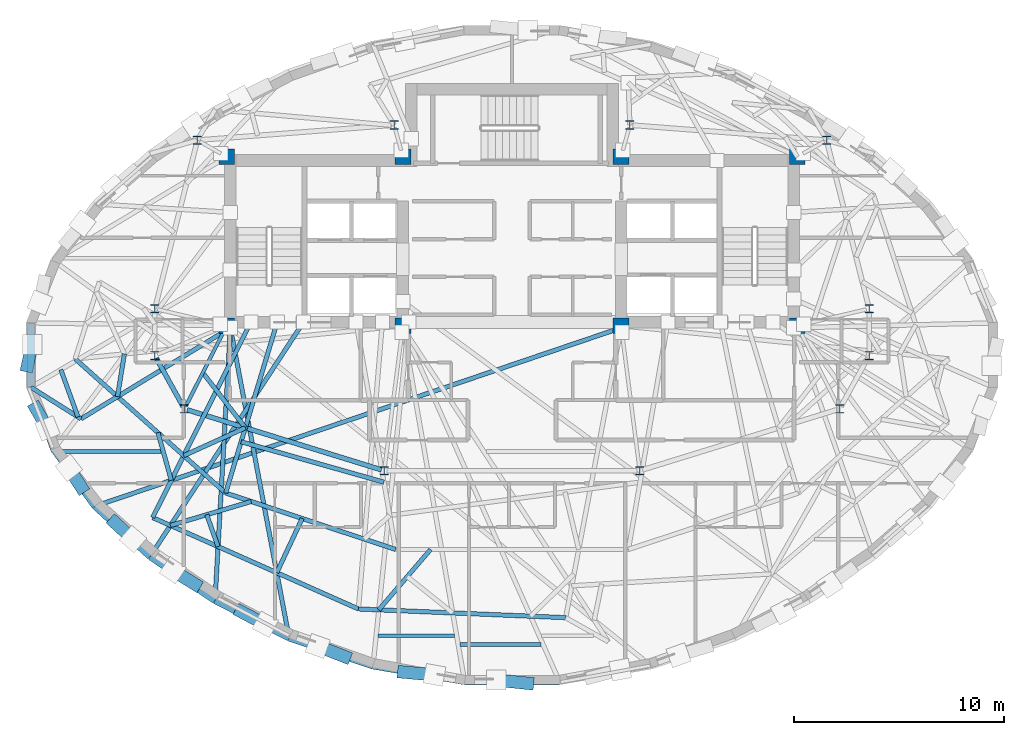
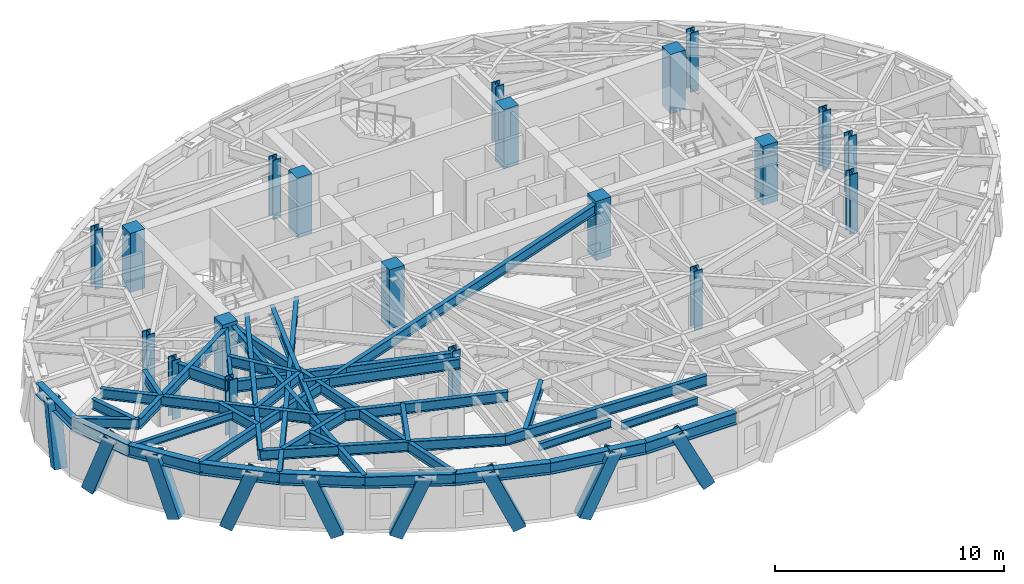
# One storey, part 1 of 13: 37 beams, 20 columns, 9 members.
"""IFC4 building model written with IfcOpenShell, lengths in metres."""

from ifc_helpers import new_model, si_unit, direction, frame, origin, origin_2d, place, context, subcontext, project, spatial, rectangle, hollow_rectangle, i_section, extrude, material, material_profile, profile_set, type_object, element, save


model = new_model("IFC4")

# Units and contexts
model_context = context("Model", 3, precision=1e-05, world=origin(), true_north=direction((0.0, 1.0)))
body_context = subcontext(model_context, "Body", "Model", "MODEL_VIEW")
ifc_project = project(units=[si_unit("LENGTHUNIT", "METRE"), si_unit("AREAUNIT", "SQUARE_METRE"), si_unit("VOLUMEUNIT", "CUBIC_METRE"), si_unit("PLANEANGLEUNIT", "RADIAN"), si_unit("MASSUNIT", "GRAM", prefix="KILO")], contexts=[model_context])

# Site, building, storey
site_placement = place(None, origin())
site = spatial("IfcSite", under=ifc_project, at=site_placement, CompositionType="ELEMENT")
building_placement = place(site_placement, origin())
building = spatial("IfcBuilding", under=site, at=building_placement, Name="Keldmark Tower", CompositionType="ELEMENT")
storey_placement = place(building_placement, frame((0.0, 0.0, 219.449951171875)))
storey = spatial("IfcBuildingStorey", under=building, at=storey_placement, Name="L61", CompositionType="ELEMENT", Elevation=219.449951171875)

# Columns
ifc_material_1 = material(Name="Concrete C50/60", Category="concrete")
ifc_material_profile_1 = material_profile(ifc_material_1, rectangle(XDim=0.75, YDim=0.75, at=origin_2d()), Name="RC750X750")
ifc_profile_set_1 = profile_set([ifc_material_profile_1], Name="Concrete C50/60")
column_type_1 = type_object("IfcColumnType", Name="Core Boundary Column RC750", PredefinedType="PILASTER", material=ifc_profile_set_1)
for number, where, z_axis, x_axis, name in (
    (1, (-13.60009765625, 1.39990234375, 0.0), (0.0, 0.0, 1.0), (1.0, 0.0, 0.0), "L61 Core Boundary Column CC-W1"),
    (2, (-13.60009765625, 9.449951171875, 0.0), (0.0, 0.0, 1.0), (1.0, 0.0, 0.0), "L61 Core Boundary Column CC-W2"),
    (3, (-5.199951171875, 1.39990234375, 0.0), (0.0, 0.0, 1.0), (1.0, 0.0, 0.0), "L61 Core Boundary Column CC-W3"),
    (4, (-5.199951171875, 9.449951171875, 0.0), (0.0, 0.0, 1.0), (1.0, 0.0, 0.0), "L61 Core Boundary Column CC-W4"),
    (5, (5.199951171875, 1.39990234375, 0.0), (0.0, 0.0, 1.0), (1.0, 0.0, 0.0), "L61 Core Boundary Column CC-E1"),
    (6, (5.199951171875, 9.449951171875, 0.0), (0.0, 0.0, 1.0), (1.0, 0.0, 0.0), "L61 Core Boundary Column CC-E2"),
    (7, (13.60009765625, 1.39990234375, 0.0), (0.0, 0.0, 1.0), (1.0, 0.0, 0.0), "L61 Core Boundary Column CC-E3"),
    (8, (13.60009765625, 9.449951171875, 0.0), (0.0, 0.0, 1.0), (1.0, 0.0, 0.0), "L61 Core Boundary Column CC-E4"),
):
    element("IfcColumn", number, at=place(storey_placement, frame(where, z_axis=z_axis, x_axis=x_axis)), inside=storey, type_object=column_type_1, Name=name, PredefinedType="PILASTER", context=body_context, shape_type="SweptSolid", body=[
        extrude(rectangle(XDim=0.75, YDim=0.75, at=origin_2d()), origin(), (0.0, 0.0, 1.0), 3.150146484375),
    ])
ifc_material_2 = material(Name="Steel ASTM A992 Grade 50", Category="steel")
ifc_material_profile_2 = material_profile(ifc_material_2, i_section(OverallWidth=0.404052734375, OverallDepth=0.406982421875, WebThickness=0.027099609375, FlangeThickness=0.043701171875, at=origin_2d()), Name="W14X233")
ifc_profile_set_2 = profile_set([ifc_material_profile_2], Name="Steel ASTM A992 Grade 50")
column_type_2 = type_object("IfcColumnType", Name="Tower Gravity Column W14X233", PredefinedType="COLUMN", material=ifc_profile_set_2)
for number, where, z_axis, x_axis, name in (
    (9, (17.025634765625, 2.2080078125, 0.0), (0.0, 0.0, 1.0), (1.0, 0.0, 0.0), "L61 Tower Gravity Column TC-E1"),
    (10, (14.995849609375, 10.24365234375, 0.0), (0.0, 0.0, 1.0), (1.0, 0.0, 0.0), "L61 Tower Gravity Column TC-E4"),
    (11, (5.61865234375, 10.967041015625, 0.0), (0.0, 0.0, 1.0), (1.0, 0.0, 0.0), "L61 Tower Gravity Column TC-N2"),
    (12, (-5.61865234375, 10.967041015625, 0.0), (0.0, 0.0, 1.0), (1.0, 0.0, 0.0), "L61 Tower Gravity Column TC-N1"),
    (13, (-14.995849609375, 10.24365234375, 0.0), (0.0, 0.0, 1.0), (1.0, 0.0, 0.0), "L61 Tower Gravity Column TC-W4"),
    (14, (-17.025634765625, 2.2080078125, 0.0), (0.0, 0.0, 1.0), (1.0, 0.0, 0.0), "L61 Tower Gravity Column TC-W1"),
    (15, (-17.025634765625, -0.02392578125, 0.0), (0.0, 0.0, 1.0), (1.0, 0.0, 0.0), "L61 Tower Gravity Column TC-W5"),
    (16, (-15.6162109375, -2.5673828125, 0.0), (0.0, 0.0, 1.0), (1.0, 0.0, 0.0), "L61 Tower Gravity Column TC-W2"),
    (17, (-6.089599609375, -5.512939453125, 0.0), (0.0, 0.0, 1.0), (1.0, 0.0, 0.0), "L61 Tower Gravity Column TC-W3"),
    (18, (6.089599609375, -5.512939453125, 0.0), (0.0, 0.0, 1.0), (1.0, 0.0, 0.0), "L61 Tower Gravity Column TC-E3"),
    (19, (15.6162109375, -2.5673828125, 0.0), (0.0, 0.0, 1.0), (1.0, 0.0, 0.0), "L61 Tower Gravity Column TC-E2"),
    (20, (17.025634765625, -0.02392578125, 0.0), (0.0, 0.0, 1.0), (1.0, 0.0, 0.0), "L61 Tower Gravity Column TC-E5"),
):
    element("IfcColumn", number, at=place(storey_placement, frame(where, z_axis=z_axis, x_axis=x_axis)), inside=storey, type_object=column_type_2, Name=name, PredefinedType="COLUMN", context=body_context, shape_type="SweptSolid", body=[
        extrude(i_section(OverallWidth=0.404052734375, OverallDepth=0.406982421875, WebThickness=0.027099609375, FlangeThickness=0.043701171875, at=origin_2d()), origin(), (0.0, 0.0, 1.0), 3.150146484375),
    ])

# Beams
ifc_material_3 = material(Name="Steel ASTM A992 Grade 50", Category="steel")
ifc_material_profile_3 = material_profile(ifc_material_3, i_section(OverallWidth=0.177978515625, OverallDepth=0.403076171875, WebThickness=0.007568359375, FlangeThickness=0.010986328125, at=origin_2d()), Name="W16X36")
ifc_profile_set_3 = profile_set([ifc_material_profile_3], Name="Steel ASTM A992 Grade 50")
beam_type_1 = type_object("IfcBeamType", Name="Composite Floor Joist W16X36", PredefinedType="JOIST", material=ifc_profile_set_3)
beam_1_placement = place(storey_placement, frame((-6.3798828125, -13.3798828125, 2.7685546875), z_axis=(1.0, 0.0, 0.0), x_axis=(0.0, 1.0, 0.0)))
element("IfcBeam", 21, at=beam_1_placement, inside=storey, type_object=beam_type_1, Name="L61 Composite Floor Joist J01", PredefinedType="JOIST", context=body_context, shape_type="SweptSolid", body=[
    extrude(i_section(OverallWidth=0.177978515625, OverallDepth=0.403076171875, WebThickness=0.007568359375, FlangeThickness=0.010986328125, at=origin_2d()), origin(), (0.0, 0.0, 1.0), 3.644287109375),
])
beam_2_placement = place(storey_placement, frame((-2.46728515625, -13.800048828125, 2.7685546875), z_axis=(1.0, 0.0, 0.0), x_axis=(0.0, 1.0, 0.0)))
element("IfcBeam", 22, at=beam_2_placement, inside=storey, type_object=beam_type_1, Name="L61 Composite Floor Joist J02", PredefinedType="JOIST", context=body_context, shape_type="SweptSolid", body=[
    extrude(i_section(OverallWidth=0.177978515625, OverallDepth=0.403076171875, WebThickness=0.007568359375, FlangeThickness=0.010986328125, at=origin_2d()), origin(), (0.0, 0.0, 1.0), 3.844482421875),
])
beam_3_placement = place(storey_placement, frame((-21.5703125, -4.60009765625, 2.7685546875), z_axis=(1.0, 0.0, 0.0), x_axis=(0.0, 1.0, 0.0)))
element("IfcBeam", 23, at=beam_3_placement, inside=storey, type_object=beam_type_1, Name="L61 Composite Floor Joist J05", PredefinedType="JOIST", context=body_context, shape_type="SweptSolid", body=[
    extrude(i_section(OverallWidth=0.177978515625, OverallDepth=0.403076171875, WebThickness=0.007568359375, FlangeThickness=0.010986328125, at=origin_2d()), origin(), (0.0, 0.0, 1.0), 4.845947265625),
])

# Members
ifc_material_4 = material(Name="Steel ASTM A572 Grade 50", Category="steel")
ifc_material_profile_4 = material_profile(ifc_material_4, hollow_rectangle(XDim=0.60009765625, YDim=0.60009765625, WallThickness=0.034912109375, at=origin_2d()), Name="BOX600X600X35")
ifc_profile_set_4 = profile_set([ifc_material_profile_4], Name="Steel ASTM A572 Grade 50")
member_type = type_object("IfcMemberType", Name="Diagrid Zone 4 Brace BOX600X600X35", PredefinedType="BRACE", material=ifc_profile_set_4)
member_1_placement = place(storey_placement, frame((-23.099365234375, -0.521484375, -0.260009765625), z_axis=(0.068496082974, 0.312583101779, 0.947417590664), x_axis=(-0.976822627571, 0.214050354507, 0.0)))
element("IfcMember", 24, at=member_1_placement, inside=storey, type_object=member_type, Name="L61 Perimeter Diagrid Brace 08B", PredefinedType="BRACE", context=body_context, shape_type="SweptSolid", body=[
    extrude(hollow_rectangle(XDim=0.60009765625, YDim=0.60009765625, WallThickness=0.034912109375, at=origin_2d()), origin(), (0.0, 0.0, 1.0), 3.28271484375),
])
member_2_placement = place(storey_placement, frame((-22.703125, -2.531982421875, -0.260009765625), z_axis=(0.168952052128, -0.29291424866, 0.941093219088), x_axis=(0.866232864764, 0.499640494758, 0.0)))
element("IfcMember", 25, at=member_2_placement, inside=storey, type_object=member_type, Name="L61 Perimeter Diagrid Brace 09A", PredefinedType="BRACE", context=body_context, shape_type="SweptSolid", body=[
    extrude(hollow_rectangle(XDim=0.60009765625, YDim=0.60009765625, WallThickness=0.034912109375, at=origin_2d()), origin(), (0.0, 0.0, 1.0), 3.3046875),
])
member_3_placement = place(storey_placement, frame((-20.53076171875, -6.2978515625, -0.260009765625), z_axis=(-0.181034012006, 0.278473995565, 0.94322792595), x_axis=(-0.838407962729, -0.545043198318, 0.0)))
element("IfcMember", 26, at=member_3_placement, inside=storey, type_object=member_type, Name="L61 Perimeter Diagrid Brace 09B", PredefinedType="BRACE", context=body_context, shape_type="SweptSolid", body=[
    extrude(hollow_rectangle(XDim=0.60009765625, YDim=0.60009765625, WallThickness=0.034912109375, at=origin_2d()), origin(), (0.0, 0.0, 1.0), 3.29736328125),
])
member_4_placement = place(storey_placement, frame((-18.944580078125, -7.97119140625, -0.260009765625), z_axis=(0.262084150477, -0.241179033521, 0.934422052318), x_axis=(0.67715021824, 0.735844808324, 0.0)))
element("IfcMember", 27, at=member_4_placement, inside=storey, type_object=member_type, Name="L61 Perimeter Diagrid Brace 10A", PredefinedType="BRACE", context=body_context, shape_type="SweptSolid", body=[
    extrude(hollow_rectangle(XDim=0.60009765625, YDim=0.60009765625, WallThickness=0.034912109375, at=origin_2d()), origin(), (0.0, 0.0, 1.0), 3.328369140625),
])
member_5_placement = place(storey_placement, frame((-15.09619140625, -10.928955078125, -0.260009765625), z_axis=(-0.320420047481, 0.198635709035, 0.926215335798), x_axis=(-0.52689230294, -0.849932056756, 0.0)))
element("IfcMember", 28, at=member_5_placement, inside=storey, type_object=member_type, Name="L61 Perimeter Diagrid Brace 10B", PredefinedType="BRACE", context=body_context, shape_type="SweptSolid", body=[
    extrude(hollow_rectangle(XDim=0.60009765625, YDim=0.60009765625, WallThickness=0.034912109375, at=origin_2d()), origin(), (0.0, 0.0, 1.0), 3.35791015625),
])
member_6_placement = place(storey_placement, frame((-12.91650390625, -12.227783203125, -0.260009765625), z_axis=(0.341857154264, -0.181460064734, 0.922066120723), x_axis=(0.468849818698, 0.883277899365, 0.0)))
element("IfcMember", 29, at=member_6_placement, inside=storey, type_object=member_type, Name="L61 Perimeter Diagrid Brace 11A", PredefinedType="BRACE", context=body_context, shape_type="SweptSolid", body=[
    extrude(hollow_rectangle(XDim=0.60009765625, YDim=0.60009765625, WallThickness=0.034912109375, at=origin_2d()), origin(), (0.0, 0.0, 1.0), 3.373046875),
])
member_7_placement = place(storey_placement, frame((-7.9599609375, -14.37890625, -0.260009765625), z_axis=(-0.382035075732, 0.148990815704, 0.912058626266), x_axis=(-0.363339214567, -0.931656919235, 0.0)))
element("IfcMember", 30, at=member_7_placement, inside=storey, type_object=member_type, Name="L61 Perimeter Diagrid Brace 11B", PredefinedType="BRACE", context=body_context, shape_type="SweptSolid", body=[
    extrude(hollow_rectangle(XDim=0.60009765625, YDim=0.60009765625, WallThickness=0.034912109375, at=origin_2d()), origin(), (0.0, 0.0, 1.0), 3.409912109375),
])
member_8_placement = place(storey_placement, frame((-5.18603515625, -15.11181640625, -0.260009765625), z_axis=(0.431543577099, -0.039687860123, 0.90121862765), x_axis=(0.091580735122, 0.995797654624, 0.0)))
element("IfcMember", 31, at=member_8_placement, inside=storey, type_object=member_type, Name="L61 Perimeter Diagrid Brace 12A", PredefinedType="BRACE", context=body_context, shape_type="SweptSolid", body=[
    extrude(hollow_rectangle(XDim=0.60009765625, YDim=0.60009765625, WallThickness=0.034912109375, at=origin_2d()), origin(), (0.0, 0.0, 1.0), 3.450927734375),
])
member_9_placement = place(storey_placement, frame((0.76611328125, -15.64697265625, -0.260009765625), z_axis=(-0.437074877575, 0.044215222368, 0.898337667864), x_axis=(-0.100647976225, -0.994922099906, 0.0)))
element("IfcMember", 32, at=member_9_placement, inside=storey, type_object=member_type, Name="L61 Perimeter Diagrid Brace 12B", PredefinedType="BRACE", context=body_context, shape_type="SweptSolid", body=[
    extrude(hollow_rectangle(XDim=0.60009765625, YDim=0.60009765625, WallThickness=0.034912109375, at=origin_2d()), origin(), (0.0, 0.0, 1.0), 3.462158203125),
])

# Beams
ifc_material_5 = material(Name="Steel ASTM A992 Grade 50", Category="steel")
ifc_material_profile_5 = material_profile(ifc_material_5, i_section(OverallWidth=0.22802734375, OverallDepth=0.60302734375, WebThickness=0.010498046875, FlangeThickness=0.014892578125, at=origin_2d()), Name="W24X68")
ifc_profile_set_5 = profile_set([ifc_material_profile_5], Name="Steel ASTM A992 Grade 50")
beam_type_2 = type_object("IfcBeamType", Name="Primary Floor Girder W24X68", PredefinedType="BEAM", material=ifc_profile_set_5)
beam_4_placement = place(storey_placement, frame((-16.957763671875, -0.146484375, 2.66845703125), z_axis=(0.484719680408, -0.874669555561, 0.0), x_axis=(0.874669555561, 0.484719680408, 0.0)))
element("IfcBeam", 33, at=beam_4_placement, inside=storey, type_object=beam_type_2, Name="L61 Floor Ring Girder FG-R07", PredefinedType="BEAM", context=body_context, shape_type="SweptSolid", body=[
    extrude(i_section(OverallWidth=0.22802734375, OverallDepth=0.60302734375, WebThickness=0.010498046875, FlangeThickness=0.014892578125, at=origin_2d()), origin(), (0.0, 0.0, 1.0), 2.627685546875),
])
beam_5_placement = place(storey_placement, frame((-15.482421875, -2.60888671875, 2.66845703125), z_axis=(0.955383255089, -0.295368982622, 0.0), x_axis=(0.295368982622, 0.955383255089, 0.0)))
element("IfcBeam", 34, at=beam_5_placement, inside=storey, type_object=beam_type_2, Name="L61 Floor Ring Girder FG-R08", PredefinedType="BEAM", context=body_context, shape_type="SweptSolid", body=[
    extrude(i_section(OverallWidth=0.22802734375, OverallDepth=0.60302734375, WebThickness=0.010498046875, FlangeThickness=0.014892578125, at=origin_2d()), origin(), (0.0, 0.0, 1.0), 9.69140625),
])
ifc_material_6 = material(Name="Steel ASTM A992 Grade 50", Category="steel")
ifc_material_profile_6 = material_profile(ifc_material_6, i_section(OverallWidth=0.166015625, OverallDepth=0.529052734375, WebThickness=0.009765625, FlangeThickness=0.013671875, at=origin_2d()), Name="W21X50")
ifc_profile_set_6 = profile_set([ifc_material_profile_6], Name="Steel ASTM A992 Grade 50")
beam_type_3 = type_object("IfcBeamType", Name="Radial Tie Girder W21X50", PredefinedType="BEAM", material=ifc_profile_set_6)
beam_6_placement = place(storey_placement, frame((-15.552734375, -2.442626953125, 2.70556640625), z_axis=(0.453004410574, 0.89150827478, 0.0), x_axis=(-0.89150827478, 0.453004410574, 0.0)))
element("IfcBeam", 35, at=beam_6_placement, inside=storey, type_object=beam_type_3, Name="L61 Floor Radial Girder FG-C08", PredefinedType="BEAM", context=body_context, shape_type="SweptSolid", body=[
    extrude(i_section(OverallWidth=0.166015625, OverallDepth=0.529052734375, WebThickness=0.009765625, FlangeThickness=0.013671875, at=origin_2d()), origin(), (0.0, 0.0, 1.0), 3.990234375),
])
ifc_material_7 = material(Name="Steel ASTM A992 Grade 50", Category="steel")
ifc_material_profile_7 = material_profile(ifc_material_7, i_section(OverallWidth=0.2099609375, OverallDepth=0.537109375, WebThickness=0.010986328125, FlangeThickness=0.017333984375, at=origin_2d()), Name="W21X68")
ifc_profile_set_7 = profile_set([ifc_material_profile_7], Name="Steel ASTM A992 Grade 50")
beam_type_4 = type_object("IfcBeamType", Name="Radial Tie Girder W21X68", PredefinedType="BEAM", material=ifc_profile_set_7)
beam_7_placement = place(storey_placement, frame((-14.7392578125, -0.841796875, 2.70166015625), z_axis=(0.611506175655, -0.79123965847, 0.0), x_axis=(0.79123965847, 0.611506175655, 0.0)))
element("IfcBeam", 36, at=beam_7_placement, inside=storey, type_object=beam_type_4, Name="L61 Framing Pin Header PH-002", PredefinedType="BEAM", context=body_context, shape_type="SweptSolid", body=[
    extrude(i_section(OverallWidth=0.2099609375, OverallDepth=0.537109375, WebThickness=0.010986328125, FlangeThickness=0.017333984375, at=origin_2d()), origin(), (0.0, 0.0, 1.0), 3.315673828125),
])
beam_8_placement = place(storey_placement, frame((-11.19287109375, 1.574951171875, 2.70166015625), z_axis=(-0.288515668481, -0.957475174112, 0.0), x_axis=(0.957475174112, -0.288515668481, 0.0)))
element("IfcBeam", 37, at=beam_8_placement, inside=storey, type_object=beam_type_4, Name="L61 Sub-Ring Step Girder STP1-M08", PredefinedType="BEAM", context=body_context, shape_type="SweptSolid", body=[
    extrude(i_section(OverallWidth=0.2099609375, OverallDepth=0.537109375, WebThickness=0.010986328125, FlangeThickness=0.017333984375, at=origin_2d()), origin(), (0.0, 0.0, 1.0), 8.514404296875),
])
beam_9_placement = place(storey_placement, frame((-12.912353515625, -4.131591796875, 2.70166015625), z_axis=(0.962184032138, -0.272400235497, 0.0), x_axis=(0.272400235497, 0.962184032138, 0.0)))
element("IfcBeam", 38, at=beam_9_placement, inside=storey, type_object=beam_type_4, Name="L61 Framing Pin Header PH-003", PredefinedType="BEAM", context=body_context, shape_type="SweptSolid", body=[
    extrude(i_section(OverallWidth=0.2099609375, OverallDepth=0.537109375, WebThickness=0.010986328125, FlangeThickness=0.017333984375, at=origin_2d()), origin(), (0.0, 0.0, 1.0), 7.07421875),
])
beam_10_placement = place(storey_placement, frame((-20.82177734375, -0.181884765625, 2.70166015625), z_axis=(0.746371150868, -0.665529943092, 0.0), x_axis=(0.665529943092, 0.746371150868, 0.0)))
element("IfcBeam", 39, at=beam_10_placement, inside=storey, type_object=beam_type_4, Name="L61 Perimeter Collector Ring Beam CRG1-M07", PredefinedType="BEAM", context=body_context, shape_type="SweptSolid", body=[
    extrude(i_section(OverallWidth=0.2099609375, OverallDepth=0.537109375, WebThickness=0.010986328125, FlangeThickness=0.017333984375, at=origin_2d()), origin(), (0.0, 0.0, 1.0), 9.609619140625),
])
beam_11_placement = place(storey_placement, frame((-13.6494140625, -6.577392578125, 2.70166015625), z_axis=(0.949043045572, -0.315146470155, 0.0), x_axis=(0.315146470155, 0.949043045572, 0.0)))
element("IfcBeam", 40, at=beam_11_placement, inside=storey, type_object=beam_type_4, Name="L61 Perimeter Collector Ring Beam CRG1-M08", PredefinedType="BEAM", context=body_context, shape_type="SweptSolid", body=[
    extrude(i_section(OverallWidth=0.2099609375, OverallDepth=0.537109375, WebThickness=0.010986328125, FlangeThickness=0.017333984375, at=origin_2d()), origin(), (0.0, 0.0, 1.0), 8.536376953125),
])
beam_12_placement = place(storey_placement, frame((-12.711669921875, -3.46533203125, 2.70166015625), z_axis=(-0.910985320767, -0.412438777695, 0.0), x_axis=(0.412438777695, -0.910985320767, 0.0)))
element("IfcBeam", 41, at=beam_12_placement, inside=storey, type_object=beam_type_4, Name="L61 Framing Pin Header PH-008", PredefinedType="BEAM", context=body_context, shape_type="SweptSolid", body=[
    extrude(i_section(OverallWidth=0.2099609375, OverallDepth=0.537109375, WebThickness=0.010986328125, FlangeThickness=0.017333984375, at=origin_2d()), origin(), (0.0, 0.0, 1.0), 3.2236328125),
])
beam_13_placement = place(storey_placement, frame((-12.4462890625, 1.574951171875, 2.70166015625), z_axis=(-0.449150314093, -0.893456207853, 0.0), x_axis=(0.893456207853, -0.449150314093, 0.0)))
element("IfcBeam", 42, at=beam_13_placement, inside=storey, type_object=beam_type_4, Name="L61 Sub-Ring Step Girder STP2-M08", PredefinedType="BEAM", context=body_context, shape_type="SweptSolid", body=[
    extrude(i_section(OverallWidth=0.2099609375, OverallDepth=0.537109375, WebThickness=0.010986328125, FlangeThickness=0.017333984375, at=origin_2d()), origin(), (0.0, 0.0, 1.0), 10.43212890625),
])
beam_14_placement = place(storey_placement, frame((-17.1318359375, -7.74560546875, 2.70166015625), z_axis=(0.913907175292, -0.405923237756, 0.0), x_axis=(0.405923237756, 0.913907175292, 0.0)))
element("IfcBeam", 43, at=beam_14_placement, inside=storey, type_object=beam_type_4, Name="L61 Perimeter Collector Ring Beam CRG2-M08", PredefinedType="BEAM", context=body_context, shape_type="SweptSolid", body=[
    extrude(i_section(OverallWidth=0.2099609375, OverallDepth=0.537109375, WebThickness=0.010986328125, FlangeThickness=0.017333984375, at=origin_2d()), origin(), (0.0, 0.0, 1.0), 10.73583984375),
])
beam_15_placement = place(storey_placement, frame((-7.3203125, -12.103515625, 2.70166015625), z_axis=(0.999122729029, -0.041878065107, 0.0), x_axis=(0.041878065107, 0.999122729029, 0.0)))
element("IfcBeam", 44, at=beam_15_placement, inside=storey, type_object=beam_type_4, Name="L61 Perimeter Collector Ring Beam CRG2-M09", PredefinedType="BEAM", context=body_context, shape_type="SweptSolid", body=[
    extrude(i_section(OverallWidth=0.2099609375, OverallDepth=0.537109375, WebThickness=0.010986328125, FlangeThickness=0.017333984375, at=origin_2d()), origin(), (0.0, 0.0, 1.0), 9.887451171875),
])
beam_16_placement = place(storey_placement, frame((-18.478515625, 0.055419921875, 2.70166015625), z_axis=(-0.158577077922, -0.987346600925, 0.0), x_axis=(0.987346600925, -0.158577077922, 0.0)))
element("IfcBeam", 45, at=beam_16_placement, inside=storey, type_object=beam_type_4, Name="L61 Framing Pin Header PH-021", PredefinedType="BEAM", context=body_context, shape_type="SweptSolid", body=[
    extrude(i_section(OverallWidth=0.2099609375, OverallDepth=0.537109375, WebThickness=0.010986328125, FlangeThickness=0.017333984375, at=origin_2d()), origin(), (0.0, 0.0, 1.0), 2.0615234375),
])
beam_17_placement = place(storey_placement, frame((-13.425048828125, 1.300048828125, 2.70166015625), z_axis=(-0.853856809596, -0.520507971799, 0.0), x_axis=(0.520507971799, -0.853856809596, 0.0)))
element("IfcBeam", 46, at=beam_17_placement, inside=storey, type_object=beam_type_4, Name="L61 Intermediate Radial Step Girder RT-18M", PredefinedType="BEAM", context=body_context, shape_type="SweptSolid", body=[
    extrude(i_section(OverallWidth=0.2099609375, OverallDepth=0.537109375, WebThickness=0.010986328125, FlangeThickness=0.017333984375, at=origin_2d()), origin(), (0.0, 0.0, 1.0), 8.336669921875),
])
beam_18_placement = place(storey_placement, frame((-22.93408203125, -1.531982421875, 2.70166015625), z_axis=(0.845895101603, -0.533349301194, 0.0), x_axis=(0.533349301194, 0.845895101603, 0.0)))
element("IfcBeam", 47, at=beam_18_placement, inside=storey, type_object=beam_type_4, Name="L61 Local Collector Chord RT-18C", PredefinedType="BEAM", context=body_context, shape_type="SweptSolid", body=[
    extrude(i_section(OverallWidth=0.2099609375, OverallDepth=0.537109375, WebThickness=0.010986328125, FlangeThickness=0.017333984375, at=origin_2d()), origin(), (0.0, 0.0, 1.0), 2.826171875),
])
beam_19_placement = place(storey_placement, frame((-21.5078125, -0.694580078125, 2.70166015625), z_axis=(0.34180028817, -0.939772612395, 0.0), x_axis=(0.939772612395, 0.34180028817, 0.0)))
element("IfcBeam", 48, at=beam_19_placement, inside=storey, type_object=beam_type_4, Name="L61 Framing Pin Header PH-022", PredefinedType="BEAM", context=body_context, shape_type="SweptSolid", body=[
    extrude(i_section(OverallWidth=0.2099609375, OverallDepth=0.537109375, WebThickness=0.010986328125, FlangeThickness=0.017333984375, at=origin_2d()), origin(), (0.0, 0.0, 1.0), 2.39794921875),
])
beam_20_placement = place(storey_placement, frame((-16.876953125, -3.699462890625, 2.70166015625), z_axis=(0.269921559944, -0.962882314448, 0.0), x_axis=(0.962882314448, 0.269921559944, 0.0)))
element("IfcBeam", 49, at=beam_20_placement, inside=storey, type_object=beam_type_4, Name="L61 Framing Pin Header PH-023", PredefinedType="BEAM", context=body_context, shape_type="SweptSolid", body=[
    extrude(i_section(OverallWidth=0.2099609375, OverallDepth=0.537109375, WebThickness=0.010986328125, FlangeThickness=0.017333984375, at=origin_2d()), origin(), (0.0, 0.0, 1.0), 2.35986328125),
])
beam_21_placement = place(storey_placement, frame((5.199951171875, 1.300048828125, 2.70166015625), z_axis=(-0.94701250872, -0.321196681689, 0.0), x_axis=(0.321196681689, -0.94701250872, 0.0)))
element("IfcBeam", 50, at=beam_21_placement, inside=storey, type_object=beam_type_4, Name="L61 Perimeter Radial Tie Girder RT-19", PredefinedType="BEAM", context=body_context, shape_type="SweptSolid", body=[
    extrude(i_section(OverallWidth=0.2099609375, OverallDepth=0.537109375, WebThickness=0.010986328125, FlangeThickness=0.017333984375, at=origin_2d()), origin(), (0.0, 0.0, 1.0), 26.4794921875),
])
beam_22_placement = place(storey_placement, frame((-12.43408203125, -6.980712890625, 2.70166015625), z_axis=(-0.958679007088, -0.28449000223, 0.0), x_axis=(0.28449000223, -0.958679007088, 0.0)))
element("IfcBeam", 51, at=beam_22_placement, inside=storey, type_object=beam_type_4, Name="L61 Framing Pin Header PH-024", PredefinedType="BEAM", context=body_context, shape_type="SweptSolid", body=[
    extrude(i_section(OverallWidth=0.2099609375, OverallDepth=0.537109375, WebThickness=0.010986328125, FlangeThickness=0.017333984375, at=origin_2d()), origin(), (0.0, 0.0, 1.0), 4.014404296875),
])
beam_23_placement = place(storey_placement, frame((-9.939208984375, 1.574951171875, 2.70166015625), z_axis=(-0.547418304153, -0.836859128097, 0.0), x_axis=(0.836859128097, -0.547418304153, 0.0)))
element("IfcBeam", 52, at=beam_23_placement, inside=storey, type_object=beam_type_4, Name="L61 Perimeter Radial Tie Girder RT-20", PredefinedType="BEAM", context=body_context, shape_type="SweptSolid", body=[
    extrude(i_section(OverallWidth=0.2099609375, OverallDepth=0.537109375, WebThickness=0.010986328125, FlangeThickness=0.017333984375, at=origin_2d()), origin(), (0.0, 0.0, 1.0), 13.354248046875),
])
beam_24_placement = place(storey_placement, frame((-14.55078125, -7.60888671875, 2.70166015625), z_axis=(0.333634456576, -0.942702524334, 0.0), x_axis=(0.942702524334, 0.333634456576, 0.0)))
element("IfcBeam", 53, at=beam_24_placement, inside=storey, type_object=beam_type_4, Name="L61 Framing Pin Header PH-025", PredefinedType="BEAM", context=body_context, shape_type="SweptSolid", body=[
    extrude(i_section(OverallWidth=0.2099609375, OverallDepth=0.537109375, WebThickness=0.010986328125, FlangeThickness=0.017333984375, at=origin_2d()), origin(), (0.0, 0.0, 1.0), 1.614990234375),
])
beam_25_placement = place(storey_placement, frame((-13.425048828125, 1.300048828125, 2.70166015625), z_axis=(-0.056182485037, -0.998420516804, 0.0), x_axis=(0.998420516804, -0.056182485037, 0.0)))
element("IfcBeam", 54, at=beam_25_placement, inside=storey, type_object=beam_type_4, Name="L61 Perimeter Radial Tie Girder RT-21", PredefinedType="BEAM", context=body_context, shape_type="SweptSolid", body=[
    extrude(i_section(OverallWidth=0.2099609375, OverallDepth=0.537109375, WebThickness=0.010986328125, FlangeThickness=0.017333984375, at=origin_2d()), origin(), (0.0, 0.0, 1.0), 13.01904296875),
])
beam_26_placement = place(storey_placement, frame((-10.00390625, -7.787841796875, 2.70166015625), z_axis=(-0.42332072815, -0.905979890019, 0.0), x_axis=(0.905979890019, -0.42332072815, 0.0)))
element("IfcBeam", 55, at=beam_26_placement, inside=storey, type_object=beam_type_4, Name="L61 Framing Pin Header PH-026", PredefinedType="BEAM", context=body_context, shape_type="SweptSolid", body=[
    extrude(i_section(OverallWidth=0.2099609375, OverallDepth=0.537109375, WebThickness=0.010986328125, FlangeThickness=0.017333984375, at=origin_2d()), origin(), (0.0, 0.0, 1.0), 2.85546875),
])
beam_27_placement = place(storey_placement, frame((-13.425048828125, 1.300048828125, 2.70166015625), z_axis=(0.186184282159, -0.982514841148, 0.0), x_axis=(0.982514841148, 0.186184282159, 0.0)))
element("IfcBeam", 56, at=beam_27_placement, inside=storey, type_object=beam_type_4, Name="L61 Perimeter Radial Tie Girder RT-22", PredefinedType="BEAM", context=body_context, shape_type="SweptSolid", body=[
    extrude(i_section(OverallWidth=0.2099609375, OverallDepth=0.537109375, WebThickness=0.010986328125, FlangeThickness=0.017333984375, at=origin_2d()), origin(), (0.0, 0.0, 1.0), 15.04296875),
])
beam_28_placement = place(storey_placement, frame((-3.8837890625, -9.267578125, 2.70166015625), z_axis=(-0.650616205548, -0.759406711241, 0.0), x_axis=(0.759406711241, -0.650616205548, 0.0)))
element("IfcBeam", 57, at=beam_28_placement, inside=storey, type_object=beam_type_4, Name="L61 Framing Pin Header PH-027", PredefinedType="BEAM", context=body_context, shape_type="SweptSolid", body=[
    extrude(i_section(OverallWidth=0.2099609375, OverallDepth=0.537109375, WebThickness=0.010986328125, FlangeThickness=0.017333984375, at=origin_2d()), origin(), (0.0, 0.0, 1.0), 3.7880859375),
])
ifc_material_8 = material(Name="Steel ASTM A992 Grade 50", Category="steel")
ifc_material_profile_8 = material_profile(ifc_material_8, i_section(OverallWidth=0.326904296875, OverallDepth=0.6220703125, WebThickness=0.015380859375, FlangeThickness=0.0244140625, at=origin_2d()), Name="W24X131")
ifc_profile_set_8 = profile_set([ifc_material_profile_8], Name="Steel ASTM A992 Grade 50")
beam_type_5 = type_object("IfcBeamType", Name="Spandrel Ring Beam W24X131", PredefinedType="SPANDREL", material=ifc_profile_set_8)
beam_29_placement = place(storey_placement, frame((-22.93408203125, 1.531982421875, 2.658935546875), z_axis=(0.0, -1.0, 0.0), x_axis=(1.0, 0.0, 0.0)))
element("IfcBeam", 58, at=beam_29_placement, inside=storey, type_object=beam_type_5, Name="L61 Perimeter Spandrel Ring Beam SRB-16", PredefinedType="SPANDREL", context=body_context, shape_type="SweptSolid", body=[
    extrude(i_section(OverallWidth=0.326904296875, OverallDepth=0.6220703125, WebThickness=0.015380859375, FlangeThickness=0.0244140625, at=origin_2d()), origin(), (0.0, 0.0, 1.0), 3.06396484375),
])
beam_30_placement = place(storey_placement, frame((-22.93408203125, -1.531982421875, 2.658935546875), z_axis=(0.346712268846, -0.937971536152, 0.0), x_axis=(0.937971536152, 0.346712268846, 0.0)))
element("IfcBeam", 59, at=beam_30_placement, inside=storey, type_object=beam_type_5, Name="L61 Perimeter Spandrel Ring Beam SRB-17", PredefinedType="SPANDREL", context=body_context, shape_type="SweptSolid", body=[
    extrude(i_section(OverallWidth=0.326904296875, OverallDepth=0.6220703125, WebThickness=0.015380859375, FlangeThickness=0.0244140625, at=origin_2d()), origin(), (0.0, 0.0, 1.0), 3.15673828125),
])
beam_31_placement = place(storey_placement, frame((-21.839599609375, -4.492919921875, 2.658935546875), z_axis=(0.586344849721, -0.810061551492, 0.0), x_axis=(0.810061551492, 0.586344849721, 0.0)))
element("IfcBeam", 60, at=beam_31_placement, inside=storey, type_object=beam_type_5, Name="L61 Perimeter Spandrel Ring Beam SRB-18", PredefinedType="SPANDREL", context=body_context, shape_type="SweptSolid", body=[
    extrude(i_section(OverallWidth=0.326904296875, OverallDepth=0.6220703125, WebThickness=0.015380859375, FlangeThickness=0.0244140625, at=origin_2d()), origin(), (0.0, 0.0, 1.0), 3.34814453125),
])
beam_32_placement = place(storey_placement, frame((-19.87646484375, -7.205078125, 2.658935546875), z_axis=(0.738907573949, -0.673806795129, 0.0), x_axis=(0.673806795129, 0.738907573949, 0.0)))
element("IfcBeam", 61, at=beam_32_placement, inside=storey, type_object=beam_type_5, Name="L61 Perimeter Spandrel Ring Beam SRB-19", PredefinedType="SPANDREL", context=body_context, shape_type="SweptSolid", body=[
    extrude(i_section(OverallWidth=0.326904296875, OverallDepth=0.6220703125, WebThickness=0.015380859375, FlangeThickness=0.0244140625, at=origin_2d()), origin(), (0.0, 0.0, 1.0), 3.55517578125),
])
beam_33_placement = place(storey_placement, frame((-17.24951171875, -9.6005859375, 2.658935546875), z_axis=(0.827591742774, -0.561330479569, 0.0), x_axis=(0.561330479569, 0.827591742774, 0.0)))
element("IfcBeam", 62, at=beam_33_placement, inside=storey, type_object=beam_type_5, Name="L61 Perimeter Spandrel Ring Beam SRB-20", PredefinedType="SPANDREL", context=body_context, shape_type="SweptSolid", body=[
    extrude(i_section(OverallWidth=0.326904296875, OverallDepth=0.6220703125, WebThickness=0.015380859375, FlangeThickness=0.0244140625, at=origin_2d()), origin(), (0.0, 0.0, 1.0), 3.7373046875),
])
beam_34_placement = place(storey_placement, frame((-14.156494140625, -11.698486328125, 2.658935546875), z_axis=(0.892866610217, -0.450321236851, 0.0), x_axis=(0.450321236851, 0.892866610217, 0.0)))
element("IfcBeam", 63, at=beam_34_placement, inside=storey, type_object=beam_type_5, Name="L61 Perimeter Spandrel Ring Beam SRB-21", PredefinedType="SPANDREL", context=body_context, shape_type="SweptSolid", body=[
    extrude(i_section(OverallWidth=0.326904296875, OverallDepth=0.6220703125, WebThickness=0.015380859375, FlangeThickness=0.0244140625, at=origin_2d()), origin(), (0.0, 0.0, 1.0), 3.9560546875),
])
beam_35_placement = place(storey_placement, frame((-10.624267578125, -13.47998046875, 2.658935546875), z_axis=(0.948810648135, -0.315845459024, 0.0), x_axis=(0.315845459024, 0.948810648135, 0.0)))
element("IfcBeam", 64, at=beam_35_placement, inside=storey, type_object=beam_type_5, Name="L61 Perimeter Spandrel Ring Beam SRB-22", PredefinedType="SPANDREL", context=body_context, shape_type="SweptSolid", body=[
    extrude(i_section(OverallWidth=0.326904296875, OverallDepth=0.6220703125, WebThickness=0.015380859375, FlangeThickness=0.0244140625, at=origin_2d()), origin(), (0.0, 0.0, 1.0), 4.215087890625),
])
beam_36_placement = place(storey_placement, frame((-6.625, -14.811279296875, 2.658935546875), z_axis=(0.985849288176, -0.16763406874, 0.0), x_axis=(0.16763406874, 0.985849288176, 0.0)))
element("IfcBeam", 65, at=beam_36_placement, inside=storey, type_object=beam_type_5, Name="L61 Perimeter Spandrel Ring Beam SRB-23", PredefinedType="SPANDREL", context=body_context, shape_type="SweptSolid", body=[
    extrude(i_section(OverallWidth=0.326904296875, OverallDepth=0.6220703125, WebThickness=0.015380859375, FlangeThickness=0.0244140625, at=origin_2d()), origin(), (0.0, 0.0, 1.0), 4.428955078125),
])
beam_37_placement = place(storey_placement, frame((-2.2587890625, -15.5537109375, 2.658935546875), z_axis=(1.0, 0.0, 0.0), x_axis=(0.0, 1.0, 0.0)))
element("IfcBeam", 66, at=beam_37_placement, inside=storey, type_object=beam_type_5, Name="L61 Perimeter Spandrel Ring Beam SRB-24", PredefinedType="SPANDREL", context=body_context, shape_type="SweptSolid", body=[
    extrude(i_section(OverallWidth=0.326904296875, OverallDepth=0.6220703125, WebThickness=0.015380859375, FlangeThickness=0.0244140625, at=origin_2d()), origin(), (0.0, 0.0, 1.0), 4.517578125),
])

save(model, "model.ifc")
